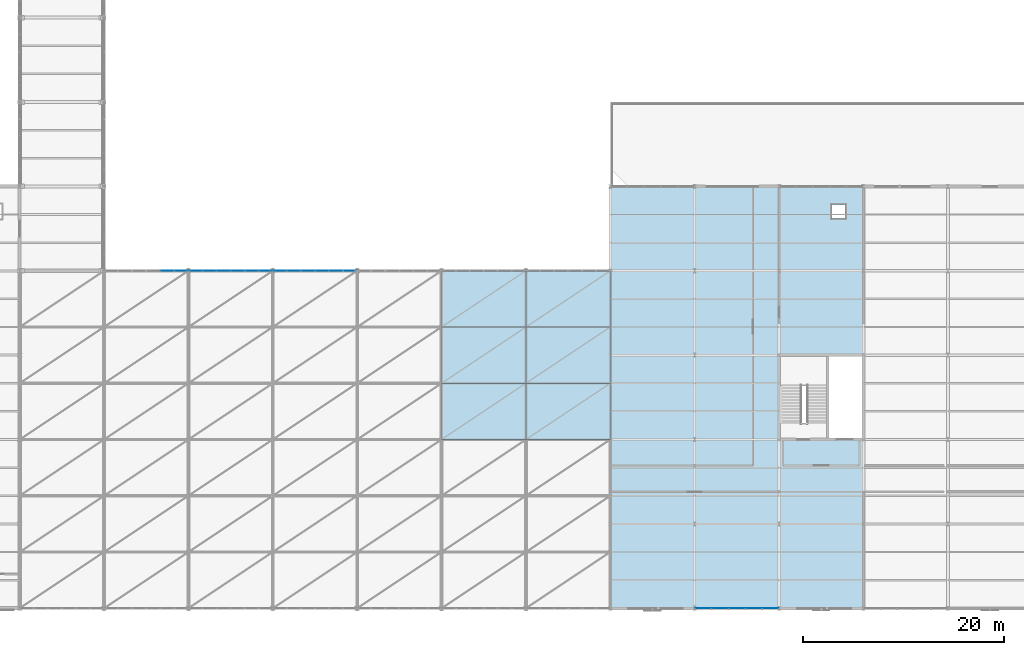
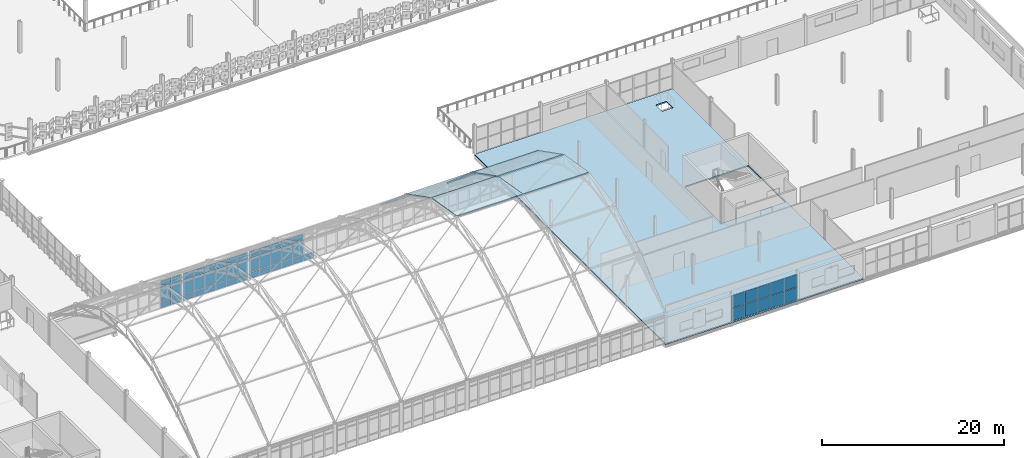
# One storey, part 140 of 184: 56 plates, 7 slabs, 5 elements without a shape of their own.
"""IFC4 building model written with IfcOpenShell, lengths in metres."""

import ifcopenshell
import ifcopenshell.guid

model = None  # the IFC model being written
_history = None  # IfcOwnerHistory: only IFC2X3 demands one
_inside = {}  # id of a spatial element -> (the spatial element, [elements in it])
_under = {}  # id of a project, library or spatial element -> (it, [spatial elements below it])
_declared = {}  # id of a project -> (the project, [libraries it declares])
_typed = {}  # id of a type object -> (the type object, [elements of that type])
_made_of = {}  # id of a material, layer set ... -> (it, [elements and type objects made of it])


def new_model(schema):
    """Start an empty IFC model of exactly this schema.

    Asked for "IFC4X3", IfcOpenShell would pick the latest addendum, in which some entities
    have other attributes; the version numbers below select the first issue.
    IFC2X3 requires an IfcOwnerHistory on every rooted entity: one is made here for all.
    """
    global model, _history
    if schema == "IFC4X3":
        model = ifcopenshell.file(schema_version=(4, 3, 0, 0))
    else:
        model = ifcopenshell.file(schema=schema)
    _inside.clear()
    _under.clear()
    _declared.clear()
    _typed.clear()
    _made_of.clear()
    _history = None
    if model.schema == "IFC2X3":
        org = make("IfcOrganization", Name="unknown")
        user = make(
            "IfcPersonAndOrganization",
            ThePerson=make("IfcPerson", FamilyName="unknown"),
            TheOrganization=org,
        )
        app = make(
            "IfcApplication",
            ApplicationDeveloper=org,
            Version="unknown",
            ApplicationFullName="unknown",
            ApplicationIdentifier="unknown",
        )
        _history = make(
            "IfcOwnerHistory",
            OwningUser=user,
            OwningApplication=app,
            ChangeAction="ADDED",
            CreationDate=0,
        )
    return model


def make(cls, **values):
    """One entity of the class cls with the attributes given. An attribute that is None is left unset."""
    return model.create_entity(
        cls, **{name: value for name, value in values.items() if value is not None}
    )


def rooted(cls, **values):
    """An entity with a GlobalId (a new one), such as an element, a storey or a relation."""
    return make(cls, GlobalId=ifcopenshell.guid.new(), OwnerHistory=_history, **values)


def si_unit(unit_type, name, prefix=None):
    """IfcSIUnit, for example si_unit("LENGTHUNIT", "METRE", prefix="MILLI")."""
    return make("IfcSIUnit", UnitType=unit_type, Prefix=prefix, Name=name)


def assignment(units):
    """IfcUnitAssignment: the units of a project."""
    return None if units is None else make("IfcUnitAssignment", Units=units)


def point(xyz):
    """IfcCartesianPoint."""
    return None if xyz is None else make("IfcCartesianPoint", Coordinates=xyz)


def direction(xyz):
    """IfcDirection."""
    return None if xyz is None else make("IfcDirection", DirectionRatios=xyz)


def frame(location, z_axis=None, x_axis=None):
    """IfcAxis2Placement3D, a coordinate frame: its origin and axes. An axis left out is left unset."""
    return make(
        "IfcAxis2Placement3D",
        Location=point(location),
        Axis=direction(z_axis),
        RefDirection=direction(x_axis),
    )


def frame_2d(location, x_axis=None):
    """IfcAxis2Placement2D, a coordinate frame in the plane: its origin and x axis."""
    return make(
        "IfcAxis2Placement2D", Location=point(location), RefDirection=direction(x_axis)
    )


def origin():
    """The frame at (0, 0, 0) with its axes left unset."""
    return frame((0.0, 0.0, 0.0))


def origin_2d():
    """The frame at (0, 0) in the plane with its x axis left unset."""
    return frame_2d((0.0, 0.0))


def place(relative_to, where):
    """IfcLocalPlacement: puts the frame where relative to a parent placement (None: the world)."""
    return make(
        "IfcLocalPlacement", PlacementRelTo=relative_to, RelativePlacement=where
    )


def context(
    kind, dimensions, precision=None, world=None, true_north=None, identifier=None
):
    """IfcGeometricRepresentationContext, for example the 3D "Model" context."""
    return make(
        "IfcGeometricRepresentationContext",
        ContextIdentifier=identifier,
        ContextType=kind,
        CoordinateSpaceDimension=dimensions,
        Precision=precision,
        WorldCoordinateSystem=world,
        TrueNorth=true_north,
    )


def subcontext(parent, identifier, kind, view, scale=None):
    """IfcGeometricRepresentationSubContext, for example "Body" below "Model"."""
    return make(
        "IfcGeometricRepresentationSubContext",
        ContextIdentifier=identifier,
        ContextType=kind,
        ParentContext=parent,
        TargetScale=scale,
        TargetView=view,
    )


def project(units=None, contexts=None):
    """IfcProject with its units and contexts."""
    return rooted(
        "IfcProject",
        Name="project",
        RepresentationContexts=contexts,
        UnitsInContext=assignment(units),
    )


def spatial(cls, under=None, at=None, **own):
    """A site, building, storey or space (cls), placed at a placement, below another one or the project."""
    s = rooted(cls, ObjectPlacement=at, **own)
    if under is not None:
        _under.setdefault(under.id(), (under, []))[1].append(s)
    return s


def polyline(points):
    """IfcPolyline through the points."""
    return make("IfcPolyline", Points=[point(p) for p in points])


def profile(cls, at=None, kind="AREA", **sizes):
    """A parametric profile (cls). Its sizes go by their IFC names, for example OverallWidth=200.0."""
    return make(cls, ProfileType=kind, Position=at, **sizes)


def rectangle(**sizes):
    """IfcRectangleProfileDef."""
    return profile("IfcRectangleProfileDef", **sizes)


def outline(outer, holes=None, kind="AREA"):
    """IfcArbitraryClosedProfileDef: a profile drawn as a closed curve; with holes, ...WithVoids."""
    if holes is None:
        return make("IfcArbitraryClosedProfileDef", ProfileType=kind, OuterCurve=outer)
    return make(
        "IfcArbitraryProfileDefWithVoids",
        ProfileType=kind,
        OuterCurve=outer,
        InnerCurves=holes,
    )


def extrude(swept, where, along, depth):
    """IfcExtrudedAreaSolid: the profile swept, set in the frame where, extruded along a direction by depth."""
    return make(
        "IfcExtrudedAreaSolid",
        SweptArea=swept,
        Position=where,
        ExtrudedDirection=direction(along),
        Depth=depth,
    )


def shape(context_of_items, identifier, shape_type, items):
    """IfcShapeRepresentation: the items that make up one representation, for example the "Body"."""
    return make(
        "IfcShapeRepresentation",
        ContextOfItems=context_of_items,
        RepresentationIdentifier=identifier,
        RepresentationType=shape_type,
        Items=items,
    )


def material(Name=None, Category=None):
    """IfcMaterial."""
    return make("IfcMaterial", Name=Name, Category=Category)


def layer(
    of_material, thickness, ventilated=None, Name=None, Category=None, Priority=None
):
    """IfcMaterialLayer: one layer of a wall or slab, of a material (None: an air gap)."""
    return make(
        "IfcMaterialLayer",
        Material=of_material,
        LayerThickness=thickness,
        IsVentilated=ventilated,
        Name=Name,
        Category=Category,
        Priority=Priority,
    )


def layer_set(layers, Name=None):
    """IfcMaterialLayerSet."""
    return make("IfcMaterialLayerSet", MaterialLayers=layers, LayerSetName=Name)


def made_of(thing, what):
    """Note that an element or type object is made of a material, layer set ...; save() writes the relation."""
    if what is not None:
        _made_of.setdefault(what.id(), (what, []))[1].append(thing)
    return thing


def type_object(cls, material=None, **own):
    """A type object (cls), such as IfcWallType, which elements share."""
    return made_of(rooted(cls, **own), material)


def element(
    cls,
    number,
    at=None,
    inside=None,
    cuts=None,
    type_object=None,
    material=None,
    context=None,
    identifier="Body",
    shape_type=None,
    held_by="IfcProductDefinitionShape",
    body=None,
    shapes=None,
    **own,
):
    """One element of the class cls, such as IfcWall. Its Tag is "e" and its number.

    at: its placement. inside: the storey or other place that contains it. cuts: it is an
    opening in that element (IfcRelVoidsElement). A single representation is given by context,
    identifier, shape_type and body (its items); several are given by shapes. held_by: the class
    of the entity that holds the representations. save() writes the other relations.
    """
    e = rooted(cls, Tag="e%d" % number, ObjectPlacement=at, **own)
    if body is not None:
        shapes = [shape(context, identifier, shape_type, body)]
    if shapes is not None:
        e.Representation = make(held_by, Representations=shapes)
    if inside is not None:
        _inside.setdefault(inside.id(), (inside, []))[1].append(e)
    if cuts is not None:
        rooted(
            "IfcRelVoidsElement", RelatingBuildingElement=cuts, RelatedOpeningElement=e
        )
    if type_object is not None:
        _typed.setdefault(type_object.id(), (type_object, []))[1].append(e)
    return made_of(e, material)


def aggregate(whole, parts):
    """IfcRelAggregates: a whole, such as a stair, and the parts it consists of."""
    return rooted("IfcRelAggregates", RelatingObject=whole, RelatedObjects=parts)


def save(model, path):
    """Write the relations noted so far, then the file.

    IfcRelAggregates (storeys below a building ...), IfcRelContainedInSpatialStructure (elements
    in a storey), IfcRelDefinesByType, IfcRelAssociatesMaterial and IfcRelDeclares: one each for
    every whole, place, type object, material and project.
    """
    for whole, parts in _under.values():
        aggregate(whole, parts)
    for where, things in _inside.values():
        rooted(
            "IfcRelContainedInSpatialStructure",
            RelatedElements=things,
            RelatingStructure=where,
        )
    for kind, things in _typed.values():
        rooted("IfcRelDefinesByType", RelatedObjects=things, RelatingType=kind)
    for what, things in _made_of.values():
        rooted("IfcRelAssociatesMaterial", RelatedObjects=things, RelatingMaterial=what)
    for by, libraries in _declared.values():
        rooted("IfcRelDeclares", RelatingContext=by, RelatedDefinitions=libraries)
    model.write(path)


model = new_model("IFC4")

# Units and contexts
model_context = context("Model", 3, precision=1e-05, world=origin(), true_north=direction((0.0, 1.0)))
body_context = subcontext(model_context, "Body", "Model", "MODEL_VIEW")
ifc_project = project(units=[si_unit("LENGTHUNIT", "METRE"), si_unit("AREAUNIT", "SQUARE_METRE"), si_unit("VOLUMEUNIT", "CUBIC_METRE"), si_unit("PLANEANGLEUNIT", "RADIAN"), si_unit("MASSUNIT", "GRAM", prefix="KILO")], contexts=[model_context])

# Site, building, storey
site_placement = place(None, origin())
site = spatial("IfcSite", under=ifc_project, at=site_placement, CompositionType="ELEMENT")
building_placement = place(site_placement, origin())
building = spatial("IfcBuilding", under=site, at=building_placement, Name="Qalvenar Corner Mobility Hub", CompositionType="ELEMENT")
storey_placement = place(building_placement, frame((0.0, 0.0, 9.0)))
storey = spatial("IfcBuildingStorey", under=building, at=storey_placement, Name="L02", CompositionType="ELEMENT", Elevation=9.0)

# Curtain wall, plates
ifc_material_1 = material(Name="Anodised Aluminium and Low-E Glazing", Category="aluminium")
ifc_layer_1 = layer(ifc_material_1, 0.179931640625)
ifc_layer_set_1 = layer_set([ifc_layer_1], Name="Anodised Aluminium and Low-E Glazing")
curtain_wall_type_1 = type_object("IfcCurtainWallType", Name="CW-CONC-84X42", PredefinedType="NOTDEFINED", material=ifc_layer_set_1)
curtain_wall_1_placement = place(storey_placement, origin())
curtain_wall_1 = element("IfcCurtainWall", 1, at=curtain_wall_1_placement, inside=storey, type_object=curtain_wall_type_1, Name="Glazed Curtain Wall CW-V1-L02-N1", PredefinedType="NOTDEFINED")
ifc_material_2 = material(Name="Solar-Control Low-E Double Glazing", Category="glass")
ifc_layer_2 = layer(ifc_material_2, 0.028076171875)
ifc_layer_set_2 = layer_set([ifc_layer_2], Name="Solar-Control Low-E Double Glazing")
plate_type_1 = type_object("IfcPlateType", Name="PLT-CWP-GLZ1", PredefinedType="CURTAIN_PANEL", material=ifc_layer_set_2)
plate_1_placement = place(storey_placement, frame((66.485107421875, 33.60009765625, 0.05517578125), z_axis=(0.0, 0.0, 1.0), x_axis=(-1.0, 0.0, 0.0)))
plate_1 = element("IfcPlate", 2, at=plate_1_placement, type_object=plate_type_1, Name="CW-02 panel 1.1", PredefinedType="CURTAIN_PANEL", context=body_context, shape_type="SweptSolid", body=[
    extrude(rectangle(XDim=1.31005859375, YDim=0.028076171875, at=origin_2d()), origin(), (0.0, 0.0, 1.0), 0.8173828125),
])
plate_2_placement = place(storey_placement, frame((66.485107421875, 33.60009765625, 0.927490234375), z_axis=(0.0, 0.0, 1.0), x_axis=(-1.0, 0.0, 0.0)))
plate_2 = element("IfcPlate", 3, at=plate_2_placement, type_object=plate_type_1, Name="CW-02 panel 1.2", PredefinedType="CURTAIN_PANEL", context=body_context, shape_type="SweptSolid", body=[
    extrude(rectangle(XDim=1.31005859375, YDim=0.028076171875, at=origin_2d()), origin(), (0.0, 0.0, 1.0), 1.9951171875),
])
plate_3_placement = place(storey_placement, frame((66.485107421875, 33.60009765625, 2.9775390625), z_axis=(0.0, 0.0, 1.0), x_axis=(-1.0, 0.0, 0.0)))
plate_3 = element("IfcPlate", 4, at=plate_3_placement, type_object=plate_type_1, Name="CW-02 panel 1.3", PredefinedType="CURTAIN_PANEL", context=body_context, shape_type="SweptSolid", body=[
    extrude(rectangle(XDim=1.31005859375, YDim=0.028076171875, at=origin_2d()), origin(), (0.0, 0.0, 1.0), 0.767578125),
])
plate_4_placement = place(storey_placement, frame((65.10009765625, 33.60009765625, 0.05517578125), z_axis=(0.0, 0.0, 1.0), x_axis=(-1.0, 0.0, 0.0)))
plate_4 = element("IfcPlate", 5, at=plate_4_placement, type_object=plate_type_1, Name="CW-02 panel 2.1", PredefinedType="CURTAIN_PANEL", context=body_context, shape_type="SweptSolid", body=[
    extrude(rectangle(XDim=1.340087890625, YDim=0.028076171875, at=origin_2d()), origin(), (0.0, 0.0, 1.0), 0.8173828125),
])
plate_5_placement = place(storey_placement, frame((65.10009765625, 33.60009765625, 0.927490234375), z_axis=(0.0, 0.0, 1.0), x_axis=(-1.0, 0.0, 0.0)))
plate_5 = element("IfcPlate", 6, at=plate_5_placement, type_object=plate_type_1, Name="CW-02 panel 2.2", PredefinedType="CURTAIN_PANEL", context=body_context, shape_type="SweptSolid", body=[
    extrude(rectangle(XDim=1.340087890625, YDim=0.028076171875, at=origin_2d()), origin(), (0.0, 0.0, 1.0), 1.9951171875),
])
plate_6_placement = place(storey_placement, frame((65.10009765625, 33.60009765625, 2.9775390625), z_axis=(0.0, 0.0, 1.0), x_axis=(-1.0, 0.0, 0.0)))
plate_6 = element("IfcPlate", 7, at=plate_6_placement, type_object=plate_type_1, Name="CW-02 panel 2.3", PredefinedType="CURTAIN_PANEL", context=body_context, shape_type="SweptSolid", body=[
    extrude(rectangle(XDim=1.340087890625, YDim=0.028076171875, at=origin_2d()), origin(), (0.0, 0.0, 1.0), 0.767578125),
])
aggregate(curtain_wall_1, [plate_1, plate_2, plate_3, plate_4, plate_5, plate_6])

curtain_wall_2_placement = place(storey_placement, origin())
curtain_wall_2 = element("IfcCurtainWall", 8, at=curtain_wall_2_placement, inside=storey, type_object=curtain_wall_type_1, Name="Glazed Curtain Wall CW-V1-L02-N2", PredefinedType="NOTDEFINED")
plate_7_placement = place(storey_placement, frame((74.885009765625, 33.60009765625, 0.05517578125), z_axis=(0.0, 0.0, 1.0), x_axis=(-1.0, 0.0, 0.0)))
plate_7 = element("IfcPlate", 9, at=plate_7_placement, type_object=plate_type_1, Name="CW-02 panel 1.1", PredefinedType="CURTAIN_PANEL", context=body_context, shape_type="SweptSolid", body=[
    extrude(rectangle(XDim=1.31005859375, YDim=0.028076171875, at=origin_2d()), origin(), (0.0, 0.0, 1.0), 0.8173828125),
])
plate_8_placement = place(storey_placement, frame((74.885009765625, 33.60009765625, 0.927490234375), z_axis=(0.0, 0.0, 1.0), x_axis=(-1.0, 0.0, 0.0)))
plate_8 = element("IfcPlate", 10, at=plate_8_placement, type_object=plate_type_1, Name="CW-02 panel 1.2", PredefinedType="CURTAIN_PANEL", context=body_context, shape_type="SweptSolid", body=[
    extrude(rectangle(XDim=1.31005859375, YDim=0.028076171875, at=origin_2d()), origin(), (0.0, 0.0, 1.0), 1.9951171875),
])
plate_9_placement = place(storey_placement, frame((74.885009765625, 33.60009765625, 2.9775390625), z_axis=(0.0, 0.0, 1.0), x_axis=(-1.0, 0.0, 0.0)))
plate_9 = element("IfcPlate", 11, at=plate_9_placement, type_object=plate_type_1, Name="CW-02 panel 1.3", PredefinedType="CURTAIN_PANEL", context=body_context, shape_type="SweptSolid", body=[
    extrude(rectangle(XDim=1.31005859375, YDim=0.028076171875, at=origin_2d()), origin(), (0.0, 0.0, 1.0), 0.767578125),
])
plate_10_placement = place(storey_placement, frame((73.5, 33.60009765625, 0.05517578125), z_axis=(0.0, 0.0, 1.0), x_axis=(-1.0, 0.0, 0.0)))
plate_10 = element("IfcPlate", 12, at=plate_10_placement, type_object=plate_type_1, Name="CW-02 panel 2.1", PredefinedType="CURTAIN_PANEL", context=body_context, shape_type="SweptSolid", body=[
    extrude(rectangle(XDim=1.340087890625, YDim=0.028076171875, at=origin_2d()), origin(), (0.0, 0.0, 1.0), 0.8173828125),
])
plate_11_placement = place(storey_placement, frame((73.5, 33.60009765625, 0.927490234375), z_axis=(0.0, 0.0, 1.0), x_axis=(-1.0, 0.0, 0.0)))
plate_11 = element("IfcPlate", 13, at=plate_11_placement, type_object=plate_type_1, Name="CW-02 panel 2.2", PredefinedType="CURTAIN_PANEL", context=body_context, shape_type="SweptSolid", body=[
    extrude(rectangle(XDim=1.340087890625, YDim=0.028076171875, at=origin_2d()), origin(), (0.0, 0.0, 1.0), 1.9951171875),
])
plate_12_placement = place(storey_placement, frame((73.5, 33.60009765625, 2.9775390625), z_axis=(0.0, 0.0, 1.0), x_axis=(-1.0, 0.0, 0.0)))
plate_12 = element("IfcPlate", 14, at=plate_12_placement, type_object=plate_type_1, Name="CW-02 panel 2.3", PredefinedType="CURTAIN_PANEL", context=body_context, shape_type="SweptSolid", body=[
    extrude(rectangle(XDim=1.340087890625, YDim=0.028076171875, at=origin_2d()), origin(), (0.0, 0.0, 1.0), 0.767578125),
])
plate_13_placement = place(storey_placement, frame((72.10009765625, 33.60009765625, 0.05517578125), z_axis=(0.0, 0.0, 1.0), x_axis=(-1.0, 0.0, 0.0)))
plate_13 = element("IfcPlate", 15, at=plate_13_placement, type_object=plate_type_1, Name="CW-02 panel 3.1", PredefinedType="CURTAIN_PANEL", context=body_context, shape_type="SweptSolid", body=[
    extrude(rectangle(XDim=1.340087890625, YDim=0.028076171875, at=origin_2d()), origin(), (0.0, 0.0, 1.0), 0.8173828125),
])
plate_14_placement = place(storey_placement, frame((72.10009765625, 33.60009765625, 0.927490234375), z_axis=(0.0, 0.0, 1.0), x_axis=(-1.0, 0.0, 0.0)))
plate_14 = element("IfcPlate", 16, at=plate_14_placement, type_object=plate_type_1, Name="CW-02 panel 3.2", PredefinedType="CURTAIN_PANEL", context=body_context, shape_type="SweptSolid", body=[
    extrude(rectangle(XDim=1.340087890625, YDim=0.028076171875, at=origin_2d()), origin(), (0.0, 0.0, 1.0), 1.9951171875),
])
plate_15_placement = place(storey_placement, frame((72.10009765625, 33.60009765625, 2.9775390625), z_axis=(0.0, 0.0, 1.0), x_axis=(-1.0, 0.0, 0.0)))
plate_15 = element("IfcPlate", 17, at=plate_15_placement, type_object=plate_type_1, Name="CW-02 panel 3.3", PredefinedType="CURTAIN_PANEL", context=body_context, shape_type="SweptSolid", body=[
    extrude(rectangle(XDim=1.340087890625, YDim=0.028076171875, at=origin_2d()), origin(), (0.0, 0.0, 1.0), 0.767578125),
])
plate_16_placement = place(storey_placement, frame((70.699951171875, 33.60009765625, 0.05517578125), z_axis=(0.0, 0.0, 1.0), x_axis=(-1.0, 0.0, 0.0)))
plate_16 = element("IfcPlate", 18, at=plate_16_placement, type_object=plate_type_1, Name="CW-02 panel 4.1", PredefinedType="CURTAIN_PANEL", context=body_context, shape_type="SweptSolid", body=[
    extrude(rectangle(XDim=1.340087890625, YDim=0.028076171875, at=origin_2d()), origin(), (0.0, 0.0, 1.0), 0.8173828125),
])
plate_17_placement = place(storey_placement, frame((70.699951171875, 33.60009765625, 0.927490234375), z_axis=(0.0, 0.0, 1.0), x_axis=(-1.0, 0.0, 0.0)))
plate_17 = element("IfcPlate", 19, at=plate_17_placement, type_object=plate_type_1, Name="CW-02 panel 4.2", PredefinedType="CURTAIN_PANEL", context=body_context, shape_type="SweptSolid", body=[
    extrude(rectangle(XDim=1.340087890625, YDim=0.028076171875, at=origin_2d()), origin(), (0.0, 0.0, 1.0), 1.9951171875),
])
plate_18_placement = place(storey_placement, frame((70.699951171875, 33.60009765625, 2.9775390625), z_axis=(0.0, 0.0, 1.0), x_axis=(-1.0, 0.0, 0.0)))
plate_18 = element("IfcPlate", 20, at=plate_18_placement, type_object=plate_type_1, Name="CW-02 panel 4.3", PredefinedType="CURTAIN_PANEL", context=body_context, shape_type="SweptSolid", body=[
    extrude(rectangle(XDim=1.340087890625, YDim=0.028076171875, at=origin_2d()), origin(), (0.0, 0.0, 1.0), 0.767578125),
])
plate_19_placement = place(storey_placement, frame((69.300048828125, 33.60009765625, 0.05517578125), z_axis=(0.0, 0.0, 1.0), x_axis=(-1.0, 0.0, 0.0)))
plate_19 = element("IfcPlate", 21, at=plate_19_placement, type_object=plate_type_1, Name="CW-02 panel 5.1", PredefinedType="CURTAIN_PANEL", context=body_context, shape_type="SweptSolid", body=[
    extrude(rectangle(XDim=1.340087890625, YDim=0.028076171875, at=origin_2d()), origin(), (0.0, 0.0, 1.0), 0.8173828125),
])
plate_20_placement = place(storey_placement, frame((69.300048828125, 33.60009765625, 0.927490234375), z_axis=(0.0, 0.0, 1.0), x_axis=(-1.0, 0.0, 0.0)))
plate_20 = element("IfcPlate", 22, at=plate_20_placement, type_object=plate_type_1, Name="CW-02 panel 5.2", PredefinedType="CURTAIN_PANEL", context=body_context, shape_type="SweptSolid", body=[
    extrude(rectangle(XDim=1.340087890625, YDim=0.028076171875, at=origin_2d()), origin(), (0.0, 0.0, 1.0), 1.9951171875),
])
plate_21_placement = place(storey_placement, frame((69.300048828125, 33.60009765625, 2.9775390625), z_axis=(0.0, 0.0, 1.0), x_axis=(-1.0, 0.0, 0.0)))
plate_21 = element("IfcPlate", 23, at=plate_21_placement, type_object=plate_type_1, Name="CW-02 panel 5.3", PredefinedType="CURTAIN_PANEL", context=body_context, shape_type="SweptSolid", body=[
    extrude(rectangle(XDim=1.340087890625, YDim=0.028076171875, at=origin_2d()), origin(), (0.0, 0.0, 1.0), 0.767578125),
])
plate_22_placement = place(storey_placement, frame((67.9150390625, 33.60009765625, 0.05517578125), z_axis=(0.0, 0.0, 1.0), x_axis=(-1.0, 0.0, 0.0)))
plate_22 = element("IfcPlate", 24, at=plate_22_placement, type_object=plate_type_1, Name="CW-02 panel 6.1", PredefinedType="CURTAIN_PANEL", context=body_context, shape_type="SweptSolid", body=[
    extrude(rectangle(XDim=1.31005859375, YDim=0.028076171875, at=origin_2d()), origin(), (0.0, 0.0, 1.0), 0.8173828125),
])
plate_23_placement = place(storey_placement, frame((67.9150390625, 33.60009765625, 0.927490234375), z_axis=(0.0, 0.0, 1.0), x_axis=(-1.0, 0.0, 0.0)))
plate_23 = element("IfcPlate", 25, at=plate_23_placement, type_object=plate_type_1, Name="CW-02 panel 6.2", PredefinedType="CURTAIN_PANEL", context=body_context, shape_type="SweptSolid", body=[
    extrude(rectangle(XDim=1.31005859375, YDim=0.028076171875, at=origin_2d()), origin(), (0.0, 0.0, 1.0), 1.9951171875),
])
plate_24_placement = place(storey_placement, frame((67.9150390625, 33.60009765625, 2.9775390625), z_axis=(0.0, 0.0, 1.0), x_axis=(-1.0, 0.0, 0.0)))
plate_24 = element("IfcPlate", 26, at=plate_24_placement, type_object=plate_type_1, Name="CW-02 panel 6.3", PredefinedType="CURTAIN_PANEL", context=body_context, shape_type="SweptSolid", body=[
    extrude(rectangle(XDim=1.31005859375, YDim=0.028076171875, at=origin_2d()), origin(), (0.0, 0.0, 1.0), 0.767578125),
])
aggregate(curtain_wall_2, [plate_7, plate_8, plate_9, plate_10, plate_11, plate_12, plate_13, plate_14, plate_15, plate_16, plate_17, plate_18, plate_19, plate_20, plate_21, plate_22, plate_23, plate_24])

curtain_wall_3_placement = place(storey_placement, origin())
curtain_wall_3 = element("IfcCurtainWall", 27, at=curtain_wall_3_placement, inside=storey, type_object=curtain_wall_type_1, Name="Glazed Curtain Wall CW-V1-L02-N3", PredefinedType="NOTDEFINED")
plate_25_placement = place(storey_placement, frame((83.284912109375, 33.60009765625, 0.05517578125), z_axis=(0.0, 0.0, 1.0), x_axis=(-1.0, 0.0, 0.0)))
plate_25 = element("IfcPlate", 28, at=plate_25_placement, type_object=plate_type_1, Name="CW-02 panel 1.1", PredefinedType="CURTAIN_PANEL", context=body_context, shape_type="SweptSolid", body=[
    extrude(rectangle(XDim=1.31005859375, YDim=0.028076171875, at=origin_2d()), origin(), (0.0, 0.0, 1.0), 0.8173828125),
])
plate_26_placement = place(storey_placement, frame((81.89990234375, 33.60009765625, 0.05517578125), z_axis=(0.0, 0.0, 1.0), x_axis=(-1.0, 0.0, 0.0)))
plate_26 = element("IfcPlate", 29, at=plate_26_placement, type_object=plate_type_1, Name="CW-02 panel 2.1", PredefinedType="CURTAIN_PANEL", context=body_context, shape_type="SweptSolid", body=[
    extrude(rectangle(XDim=1.340087890625, YDim=0.028076171875, at=origin_2d()), origin(), (0.0, 0.0, 1.0), 0.8173828125),
])
plate_27_placement = place(storey_placement, frame((81.89990234375, 33.60009765625, 0.927490234375), z_axis=(0.0, 0.0, 1.0), x_axis=(-1.0, 0.0, 0.0)))
plate_27 = element("IfcPlate", 30, at=plate_27_placement, type_object=plate_type_1, Name="CW-02 panel 2.2", PredefinedType="CURTAIN_PANEL", context=body_context, shape_type="SweptSolid", body=[
    extrude(rectangle(XDim=1.340087890625, YDim=0.028076171875, at=origin_2d()), origin(), (0.0, 0.0, 1.0), 1.9951171875),
])
plate_28_placement = place(storey_placement, frame((81.89990234375, 33.60009765625, 2.9775390625), z_axis=(0.0, 0.0, 1.0), x_axis=(-1.0, 0.0, 0.0)))
plate_28 = element("IfcPlate", 31, at=plate_28_placement, type_object=plate_type_1, Name="CW-02 panel 2.3", PredefinedType="CURTAIN_PANEL", context=body_context, shape_type="SweptSolid", body=[
    extrude(rectangle(XDim=1.340087890625, YDim=0.028076171875, at=origin_2d()), origin(), (0.0, 0.0, 1.0), 0.767578125),
])
plate_29_placement = place(storey_placement, frame((80.5, 33.60009765625, 0.05517578125), z_axis=(0.0, 0.0, 1.0), x_axis=(-1.0, 0.0, 0.0)))
plate_29 = element("IfcPlate", 32, at=plate_29_placement, type_object=plate_type_1, Name="CW-02 panel 3.1", PredefinedType="CURTAIN_PANEL", context=body_context, shape_type="SweptSolid", body=[
    extrude(rectangle(XDim=1.340087890625, YDim=0.028076171875, at=origin_2d()), origin(), (0.0, 0.0, 1.0), 0.8173828125),
])
plate_30_placement = place(storey_placement, frame((80.5, 33.60009765625, 0.927490234375), z_axis=(0.0, 0.0, 1.0), x_axis=(-1.0, 0.0, 0.0)))
plate_30 = element("IfcPlate", 33, at=plate_30_placement, type_object=plate_type_1, Name="CW-02 panel 3.2", PredefinedType="CURTAIN_PANEL", context=body_context, shape_type="SweptSolid", body=[
    extrude(rectangle(XDim=1.340087890625, YDim=0.028076171875, at=origin_2d()), origin(), (0.0, 0.0, 1.0), 1.9951171875),
])
plate_31_placement = place(storey_placement, frame((80.5, 33.60009765625, 2.9775390625), z_axis=(0.0, 0.0, 1.0), x_axis=(-1.0, 0.0, 0.0)))
plate_31 = element("IfcPlate", 34, at=plate_31_placement, type_object=plate_type_1, Name="CW-02 panel 3.3", PredefinedType="CURTAIN_PANEL", context=body_context, shape_type="SweptSolid", body=[
    extrude(rectangle(XDim=1.340087890625, YDim=0.028076171875, at=origin_2d()), origin(), (0.0, 0.0, 1.0), 0.767578125),
])
plate_32_placement = place(storey_placement, frame((79.10009765625, 33.60009765625, 0.05517578125), z_axis=(0.0, 0.0, 1.0), x_axis=(-1.0, 0.0, 0.0)))
plate_32 = element("IfcPlate", 35, at=plate_32_placement, type_object=plate_type_1, Name="CW-02 panel 4.1", PredefinedType="CURTAIN_PANEL", context=body_context, shape_type="SweptSolid", body=[
    extrude(rectangle(XDim=1.340087890625, YDim=0.028076171875, at=origin_2d()), origin(), (0.0, 0.0, 1.0), 0.8173828125),
])
plate_33_placement = place(storey_placement, frame((79.10009765625, 33.60009765625, 0.927490234375), z_axis=(0.0, 0.0, 1.0), x_axis=(-1.0, 0.0, 0.0)))
plate_33 = element("IfcPlate", 36, at=plate_33_placement, type_object=plate_type_1, Name="CW-02 panel 4.2", PredefinedType="CURTAIN_PANEL", context=body_context, shape_type="SweptSolid", body=[
    extrude(rectangle(XDim=1.340087890625, YDim=0.028076171875, at=origin_2d()), origin(), (0.0, 0.0, 1.0), 1.9951171875),
])
plate_34_placement = place(storey_placement, frame((79.10009765625, 33.60009765625, 2.9775390625), z_axis=(0.0, 0.0, 1.0), x_axis=(-1.0, 0.0, 0.0)))
plate_34 = element("IfcPlate", 37, at=plate_34_placement, type_object=plate_type_1, Name="CW-02 panel 4.3", PredefinedType="CURTAIN_PANEL", context=body_context, shape_type="SweptSolid", body=[
    extrude(rectangle(XDim=1.340087890625, YDim=0.028076171875, at=origin_2d()), origin(), (0.0, 0.0, 1.0), 0.767578125),
])
plate_35_placement = place(storey_placement, frame((77.699951171875, 33.60009765625, 0.05517578125), z_axis=(0.0, 0.0, 1.0), x_axis=(-1.0, 0.0, 0.0)))
plate_35 = element("IfcPlate", 38, at=plate_35_placement, type_object=plate_type_1, Name="CW-02 panel 5.1", PredefinedType="CURTAIN_PANEL", context=body_context, shape_type="SweptSolid", body=[
    extrude(rectangle(XDim=1.340087890625, YDim=0.028076171875, at=origin_2d()), origin(), (0.0, 0.0, 1.0), 0.8173828125),
])
plate_36_placement = place(storey_placement, frame((77.699951171875, 33.60009765625, 0.927490234375), z_axis=(0.0, 0.0, 1.0), x_axis=(-1.0, 0.0, 0.0)))
plate_36 = element("IfcPlate", 39, at=plate_36_placement, type_object=plate_type_1, Name="CW-02 panel 5.2", PredefinedType="CURTAIN_PANEL", context=body_context, shape_type="SweptSolid", body=[
    extrude(rectangle(XDim=1.340087890625, YDim=0.028076171875, at=origin_2d()), origin(), (0.0, 0.0, 1.0), 1.9951171875),
])
plate_37_placement = place(storey_placement, frame((77.699951171875, 33.60009765625, 2.9775390625), z_axis=(0.0, 0.0, 1.0), x_axis=(-1.0, 0.0, 0.0)))
plate_37 = element("IfcPlate", 40, at=plate_37_placement, type_object=plate_type_1, Name="CW-02 panel 5.3", PredefinedType="CURTAIN_PANEL", context=body_context, shape_type="SweptSolid", body=[
    extrude(rectangle(XDim=1.340087890625, YDim=0.028076171875, at=origin_2d()), origin(), (0.0, 0.0, 1.0), 0.767578125),
])
plate_38_placement = place(storey_placement, frame((76.31494140625, 33.60009765625, 0.05517578125), z_axis=(0.0, 0.0, 1.0), x_axis=(-1.0, 0.0, 0.0)))
plate_38 = element("IfcPlate", 41, at=plate_38_placement, type_object=plate_type_1, Name="CW-02 panel 6.1", PredefinedType="CURTAIN_PANEL", context=body_context, shape_type="SweptSolid", body=[
    extrude(rectangle(XDim=1.31005859375, YDim=0.028076171875, at=origin_2d()), origin(), (0.0, 0.0, 1.0), 0.8173828125),
])
plate_39_placement = place(storey_placement, frame((76.31494140625, 33.60009765625, 0.927490234375), z_axis=(0.0, 0.0, 1.0), x_axis=(-1.0, 0.0, 0.0)))
plate_39 = element("IfcPlate", 42, at=plate_39_placement, type_object=plate_type_1, Name="CW-02 panel 6.2", PredefinedType="CURTAIN_PANEL", context=body_context, shape_type="SweptSolid", body=[
    extrude(rectangle(XDim=1.31005859375, YDim=0.028076171875, at=origin_2d()), origin(), (0.0, 0.0, 1.0), 1.9951171875),
])
plate_40_placement = place(storey_placement, frame((76.31494140625, 33.60009765625, 2.9775390625), z_axis=(0.0, 0.0, 1.0), x_axis=(-1.0, 0.0, 0.0)))
plate_40 = element("IfcPlate", 43, at=plate_40_placement, type_object=plate_type_1, Name="CW-02 panel 6.3", PredefinedType="CURTAIN_PANEL", context=body_context, shape_type="SweptSolid", body=[
    extrude(rectangle(XDim=1.31005859375, YDim=0.028076171875, at=origin_2d()), origin(), (0.0, 0.0, 1.0), 0.767578125),
])
aggregate(curtain_wall_3, [plate_25, plate_26, plate_27, plate_28, plate_29, plate_30, plate_31, plate_32, plate_33, plate_34, plate_35, plate_36, plate_37, plate_38, plate_39, plate_40])

ifc_layer_3 = layer(ifc_material_1, 0.14990234375)
ifc_layer_set_3 = layer_set([ifc_layer_3], Name="Anodised Aluminium and Low-E Glazing")
curtain_wall_type_2 = type_object("IfcCurtainWallType", Name="CW-WKS-84X44", PredefinedType="NOTDEFINED", material=ifc_layer_set_3)
curtain_wall_4_placement = place(storey_placement, origin())
curtain_wall_4 = element("IfcCurtainWall", 44, at=curtain_wall_4_placement, inside=storey, type_object=curtain_wall_type_2, Name="Glazed Curtain Wall CW-V6-L02-S1", PredefinedType="NOTDEFINED")
plate_41_placement = place(storey_placement, frame((118.455078125, 0.0, 0.054931640625), z_axis=(0.0, 0.0, 1.0), x_axis=(1.0, 0.0, 0.0)))
plate_41 = element("IfcPlate", 45, at=plate_41_placement, type_object=plate_type_1, Name="CW-09 panel 1.1", PredefinedType="CURTAIN_PANEL", context=body_context, shape_type="SweptSolid", body=[
    extrude(rectangle(XDim=1.590087890625, YDim=0.028076171875, at=origin_2d()), origin(), (0.0, 0.0, 1.0), 1.6826171875),
])
plate_42_placement = place(storey_placement, frame((118.455078125, 0.0, 1.79248046875), z_axis=(0.0, 0.0, 1.0), x_axis=(1.0, 0.0, 0.0)))
plate_42 = element("IfcPlate", 46, at=plate_42_placement, type_object=plate_type_1, Name="CW-09 panel 1.2", PredefinedType="CURTAIN_PANEL", context=body_context, shape_type="SweptSolid", body=[
    extrude(rectangle(XDim=1.590087890625, YDim=0.028076171875, at=origin_2d()), origin(), (0.0, 0.0, 1.0), 1.6826171875),
])
plate_43_placement = place(storey_placement, frame((120.1201171875, 0.0, 0.054931640625), z_axis=(0.0, 0.0, 1.0), x_axis=(1.0, 0.0, 0.0)))
plate_43 = element("IfcPlate", 47, at=plate_43_placement, type_object=plate_type_1, Name="CW-09 panel 2.1", PredefinedType="CURTAIN_PANEL", context=body_context, shape_type="SweptSolid", body=[
    extrude(rectangle(XDim=1.6201171875, YDim=0.028076171875, at=origin_2d()), origin(), (0.0, 0.0, 1.0), 1.6826171875),
])
plate_44_placement = place(storey_placement, frame((120.1201171875, 0.0, 1.79248046875), z_axis=(0.0, 0.0, 1.0), x_axis=(1.0, 0.0, 0.0)))
plate_44 = element("IfcPlate", 48, at=plate_44_placement, type_object=plate_type_1, Name="CW-09 panel 2.2", PredefinedType="CURTAIN_PANEL", context=body_context, shape_type="SweptSolid", body=[
    extrude(rectangle(XDim=1.6201171875, YDim=0.028076171875, at=origin_2d()), origin(), (0.0, 0.0, 1.0), 1.6826171875),
])
plate_45_placement = place(storey_placement, frame((121.800048828125, 0.0, 0.054931640625), z_axis=(0.0, 0.0, 1.0), x_axis=(1.0, 0.0, 0.0)))
plate_45 = element("IfcPlate", 49, at=plate_45_placement, type_object=plate_type_1, Name="CW-09 panel 3.1", PredefinedType="CURTAIN_PANEL", context=body_context, shape_type="SweptSolid", body=[
    extrude(rectangle(XDim=1.6201171875, YDim=0.028076171875, at=origin_2d()), origin(), (0.0, 0.0, 1.0), 1.6826171875),
])
plate_46_placement = place(storey_placement, frame((121.800048828125, 0.0, 1.79248046875), z_axis=(0.0, 0.0, 1.0), x_axis=(1.0, 0.0, 0.0)))
plate_46 = element("IfcPlate", 50, at=plate_46_placement, type_object=plate_type_1, Name="CW-09 panel 3.2", PredefinedType="CURTAIN_PANEL", context=body_context, shape_type="SweptSolid", body=[
    extrude(rectangle(XDim=1.6201171875, YDim=0.028076171875, at=origin_2d()), origin(), (0.0, 0.0, 1.0), 1.6826171875),
])
plate_47_placement = place(storey_placement, frame((123.47998046875, 0.0, 0.054931640625), z_axis=(0.0, 0.0, 1.0), x_axis=(1.0, 0.0, 0.0)))
plate_47 = element("IfcPlate", 51, at=plate_47_placement, type_object=plate_type_1, Name="CW-09 panel 4.1", PredefinedType="CURTAIN_PANEL", context=body_context, shape_type="SweptSolid", body=[
    extrude(rectangle(XDim=1.6201171875, YDim=0.028076171875, at=origin_2d()), origin(), (0.0, 0.0, 1.0), 1.6826171875),
])
plate_48_placement = place(storey_placement, frame((123.47998046875, 0.0, 1.79248046875), z_axis=(0.0, 0.0, 1.0), x_axis=(1.0, 0.0, 0.0)))
plate_48 = element("IfcPlate", 52, at=plate_48_placement, type_object=plate_type_1, Name="CW-09 panel 4.2", PredefinedType="CURTAIN_PANEL", context=body_context, shape_type="SweptSolid", body=[
    extrude(rectangle(XDim=1.6201171875, YDim=0.028076171875, at=origin_2d()), origin(), (0.0, 0.0, 1.0), 1.6826171875),
])
plate_49_placement = place(storey_placement, frame((125.14501953125, 0.0, 0.054931640625), z_axis=(0.0, 0.0, 1.0), x_axis=(1.0, 0.0, 0.0)))
plate_49 = element("IfcPlate", 53, at=plate_49_placement, type_object=plate_type_1, Name="CW-09 panel 5.1", PredefinedType="CURTAIN_PANEL", context=body_context, shape_type="SweptSolid", body=[
    extrude(rectangle(XDim=1.590087890625, YDim=0.028076171875, at=origin_2d()), origin(), (0.0, 0.0, 1.0), 1.6826171875),
])
plate_50_placement = place(storey_placement, frame((125.14501953125, 0.0, 1.79248046875), z_axis=(0.0, 0.0, 1.0), x_axis=(1.0, 0.0, 0.0)))
plate_50 = element("IfcPlate", 54, at=plate_50_placement, type_object=plate_type_1, Name="CW-09 panel 5.2", PredefinedType="CURTAIN_PANEL", context=body_context, shape_type="SweptSolid", body=[
    extrude(rectangle(XDim=1.590087890625, YDim=0.028076171875, at=origin_2d()), origin(), (0.0, 0.0, 1.0), 1.6826171875),
])
aggregate(curtain_wall_4, [plate_41, plate_42, plate_43, plate_44, plate_45, plate_46, plate_47, plate_48, plate_49, plate_50])

# Plates
ifc_material_3 = material(Name="Insulated Standing-Seam Aluminium Roof Cassette", Category="aluminium")
ifc_layer_4 = layer(ifc_material_3, 0.0849609375)
ifc_layer_set_4 = layer_set([ifc_layer_4], Name="Insulated Standing-Seam Aluminium Roof Cassette")
plate_type_2 = type_object("IfcPlateType", Name="PLT-SFR-CAS1", PredefinedType="SHEET", material=ifc_layer_set_4)
plate_51_placement = place(storey_placement, frame((92.39990234375, 28.0, 9.06787109375), z_axis=(0.0, 0.64904710972, 0.760748216799), x_axis=(1.0, 0.0, 0.0)))
element("IfcPlate", 55, at=plate_51_placement, inside=storey, type_object=plate_type_2, Name="Space Frame Roof Cassette RPC-6-6", PredefinedType="SHEET", context=body_context, shape_type="SweptSolid", body=[
    extrude(outline(polyline([(0.0, 0.0), (8.400146484375, 0.0), (8.400146484375, 7.361302376507519), (0.0, 7.361302376507519), (0.0, 0.0)])), origin(), (0.0, 0.0, -1.0), 0.0849609375),
])
plate_52_placement = place(storey_placement, frame((100.800048828125, 28.0, 9.06787109375), z_axis=(0.0, 0.64904710972, 0.760748216799), x_axis=(1.0, 0.0, 0.0)))
element("IfcPlate", 56, at=plate_52_placement, inside=storey, type_object=plate_type_2, Name="Space Frame Roof Cassette RPC-7-6", PredefinedType="SHEET", context=body_context, shape_type="SweptSolid", body=[
    extrude(outline(polyline([(0.0, 0.0), (8.39990234375, 0.0), (8.39990234375, 7.361302376507519), (0.0, 7.361302376507519), (0.0, 0.0)])), origin(), (0.0, 0.0, -1.0), 0.0849609375),
])
ifc_material_4 = material(Name="Insulated Standing-Seam Aluminium Roof Cassette", Category="aluminium")
ifc_layer_5 = layer(ifc_material_4, 0.080078125)
ifc_layer_set_5 = layer_set([ifc_layer_5], Name="Insulated Standing-Seam Aluminium Roof Cassette")
plate_type_3 = type_object("IfcPlateType", Name="PLT-SFR-CAS2", PredefinedType="SHEET", material=ifc_layer_set_5)
plate_53_placement = place(storey_placement, frame((92.39990234375, 16.800048828125, 12.885009765625), z_axis=(0.0, 0.168209888264, 0.985751202632), x_axis=(1.0, 0.0, 0.0)))
element("IfcPlate", 57, at=plate_53_placement, inside=storey, type_object=plate_type_3, Name="Space Frame Roof Cassette RPC-6-4", PredefinedType="SHEET", context=body_context, shape_type="SweptSolid", body=[
    extrude(outline(polyline([(0.0, 0.0), (8.400146484375, 0.0), (8.400146484375, 5.6807980560138915), (0.0, 5.6807980560138915), (0.0, 0.0)])), origin(), (0.0, 0.0, -1.0), 0.080078125),
])
plate_54_placement = place(storey_placement, frame((92.39990234375, 22.39990234375, 11.929443359375), z_axis=(0.0, 0.455668912509, 0.890149337006), x_axis=(1.0, 0.0, 0.0)))
element("IfcPlate", 58, at=plate_54_placement, inside=storey, type_object=plate_type_3, Name="Space Frame Roof Cassette RPC-6-5", PredefinedType="SHEET", context=body_context, shape_type="SweptSolid", body=[
    extrude(outline(polyline([(0.0, 0.0), (8.400146484375, 0.0), (8.400146484375, 6.29118893138003), (0.0, 6.29118893138003), (0.0, 0.0)])), origin(), (0.0, 0.0, -1.0), 0.080078125),
])
plate_55_placement = place(storey_placement, frame((100.800048828125, 16.800048828125, 12.885009765625), z_axis=(0.0, 0.168209888264, 0.985751202632), x_axis=(1.0, 0.0, 0.0)))
element("IfcPlate", 59, at=plate_55_placement, inside=storey, type_object=plate_type_3, Name="Space Frame Roof Cassette RPC-7-4", PredefinedType="SHEET", context=body_context, shape_type="SweptSolid", body=[
    extrude(outline(polyline([(0.0, 0.0), (8.39990234375, 0.0), (8.39990234375, 5.6807980560138915), (0.0, 5.6807980560138915), (0.0, 0.0)])), origin(), (0.0, 0.0, -1.0), 0.080078125),
])
plate_56_placement = place(storey_placement, frame((100.800048828125, 22.39990234375, 11.929443359375), z_axis=(0.0, 0.455668912509, 0.890149337006), x_axis=(1.0, 0.0, 0.0)))
element("IfcPlate", 60, at=plate_56_placement, inside=storey, type_object=plate_type_3, Name="Space Frame Roof Cassette RPC-7-5", PredefinedType="SHEET", context=body_context, shape_type="SweptSolid", body=[
    extrude(outline(polyline([(0.0, 0.0), (8.39990234375, 0.0), (8.39990234375, 6.29118893138003), (0.0, 6.29118893138003), (0.0, 0.0)])), origin(), (0.0, 0.0, -1.0), 0.080078125),
])

# Roof, slabs
ifc_material_5 = material(Name="Steel S355", Category="steel")
roof_type = type_object("IfcRoofType", Name="ROOF-SPACEFRAME", PredefinedType="BARREL_ROOF", material=ifc_material_5)
roof_placement = place(storey_placement, origin())
roof = element("IfcRoof", 61, at=roof_placement, inside=storey, type_object=roof_type, Name="Volume 1 Bus Concourse Barrel Space-Frame Roof", PredefinedType="BARREL_ROOF")
ifc_material_6 = material(Name="Concrete C35/45", Category="concrete")
ifc_layer_6 = layer(ifc_material_6, 0.139892578125)
ifc_layer_set_6 = layer_set([ifc_layer_6], Name="Concrete C35/45")
slab_type_1 = type_object("IfcSlabType", Name="SLB-CAN140", PredefinedType="ROOF", material=ifc_layer_set_6)
slab_1_placement = place(storey_placement, frame((92.39990234375, 16.800048828125, 12.800048828125), z_axis=(0.0, 0.168209888264, 0.985751202632), x_axis=(1.0, 0.0, 0.0)))
slab_1 = element("IfcSlab", 62, at=slab_1_placement, type_object=slab_type_1, Name="Space Frame Sloped Roof Deck RFS-6-4", PredefinedType="ROOF", context=body_context, shape_type="SweptSolid", body=[
    extrude(outline(polyline([(0.0, 0.0), (8.400146484375, 0.0), (8.400146484375, 5.6807980560138915), (0.0, 5.6807980560138915), (0.0, 0.0)])), origin(), (0.0, 0.0, -1.0), 0.139892578125),
])
slab_2_placement = place(storey_placement, frame((92.39990234375, 22.39990234375, 11.844482421875), z_axis=(0.0, 0.455668912509, 0.890149337006), x_axis=(1.0, 0.0, 0.0)))
slab_2 = element("IfcSlab", 63, at=slab_2_placement, type_object=slab_type_1, Name="Space Frame Sloped Roof Deck RFS-6-5", PredefinedType="ROOF", context=body_context, shape_type="SweptSolid", body=[
    extrude(outline(polyline([(0.0, 0.0), (8.400146484375, 0.0), (8.400146484375, 6.29118893138003), (0.0, 6.29118893138003), (0.0, 0.0)])), origin(), (0.0, 0.0, -1.0), 0.139892578125),
])
slab_3_placement = place(storey_placement, frame((92.39990234375, 28.0, 8.977783203125), z_axis=(0.0, 0.64904710972, 0.760748216799), x_axis=(1.0, 0.0, 0.0)))
slab_3 = element("IfcSlab", 64, at=slab_3_placement, type_object=slab_type_1, Name="Space Frame Sloped Roof Deck RFS-6-6", PredefinedType="ROOF", context=body_context, shape_type="SweptSolid", body=[
    extrude(outline(polyline([(0.0, 0.0), (8.400146484375, 0.0), (8.400146484375, 7.361302376507519), (0.0, 7.361302376507519), (0.0, 0.0)])), origin(), (0.0, 0.0, -1.0), 0.139892578125),
])
slab_4_placement = place(storey_placement, frame((100.800048828125, 16.800048828125, 12.800048828125), z_axis=(0.0, 0.168209888264, 0.985751202632), x_axis=(1.0, 0.0, 0.0)))
slab_4 = element("IfcSlab", 65, at=slab_4_placement, type_object=slab_type_1, Name="Space Frame Sloped Roof Deck RFS-7-4", PredefinedType="ROOF", context=body_context, shape_type="SweptSolid", body=[
    extrude(outline(polyline([(0.0, 0.0), (8.39990234375, 0.0), (8.39990234375, 5.6807980560138915), (0.0, 5.6807980560138915), (0.0, 0.0)])), origin(), (0.0, 0.0, -1.0), 0.139892578125),
])
slab_5_placement = place(storey_placement, frame((100.800048828125, 22.39990234375, 11.844482421875), z_axis=(0.0, 0.455668912509, 0.890149337006), x_axis=(1.0, 0.0, 0.0)))
slab_5 = element("IfcSlab", 66, at=slab_5_placement, type_object=slab_type_1, Name="Space Frame Sloped Roof Deck RFS-7-5", PredefinedType="ROOF", context=body_context, shape_type="SweptSolid", body=[
    extrude(outline(polyline([(0.0, 0.0), (8.39990234375, 0.0), (8.39990234375, 6.29118893138003), (0.0, 6.29118893138003), (0.0, 0.0)])), origin(), (0.0, 0.0, -1.0), 0.139892578125),
])
slab_6_placement = place(storey_placement, frame((100.800048828125, 28.0, 8.977783203125), z_axis=(0.0, 0.64904710972, 0.760748216799), x_axis=(1.0, 0.0, 0.0)))
slab_6 = element("IfcSlab", 67, at=slab_6_placement, type_object=slab_type_1, Name="Space Frame Sloped Roof Deck RFS-7-6", PredefinedType="ROOF", context=body_context, shape_type="SweptSolid", body=[
    extrude(outline(polyline([(0.0, 0.0), (8.39990234375, 0.0), (8.39990234375, 7.361302376507519), (0.0, 7.361302376507519), (0.0, 0.0)])), origin(), (0.0, 0.0, -1.0), 0.139892578125),
])
aggregate(roof, [slab_1, slab_2, slab_3, slab_4, slab_5, slab_6])

# Slab
ifc_material_7 = material(Name="Concrete C35/45", Category="concrete")
ifc_layer_7 = layer(ifc_material_7, 0.179931640625)
ifc_layer_set_7 = layer_set([ifc_layer_7], Name="Concrete C35/45")
slab_type_2 = type_object("IfcSlabType", Name="SLB-COMP180", PredefinedType="FLOOR", material=ifc_layer_set_7)
slab_7_placement = place(storey_placement, frame((0.0, 0.0, -0.179931640625)))
element("IfcSlab", 68, at=slab_7_placement, inside=storey, type_object=slab_type_2, Name="Composite Slab V6-A-L02", PredefinedType="FLOOR", context=body_context, shape_type="SweptSolid", body=[
    extrude(outline(polyline([(109.199951171875, 0.0), (134.39990234375, 0.0), (134.39990234375, 42.0), (109.199951171875, 42.0), (109.199951171875, 0.0)]), holes=[polyline([(126.1298828125, 16.929931640625), (134.27001953125, 16.929931640625), (134.27001953125, 25.070068359375), (126.1298828125, 25.070068359375), (126.1298828125, 16.929931640625)]), polyline([(131.199951171875, 38.800048828125), (132.60009765625, 38.800048828125), (132.60009765625, 40.199951171875), (131.199951171875, 40.199951171875), (131.199951171875, 38.800048828125)])]), origin(), (0.0, 0.0, 1.0), 0.179931640625),
])

save(model, "model.ifc")
